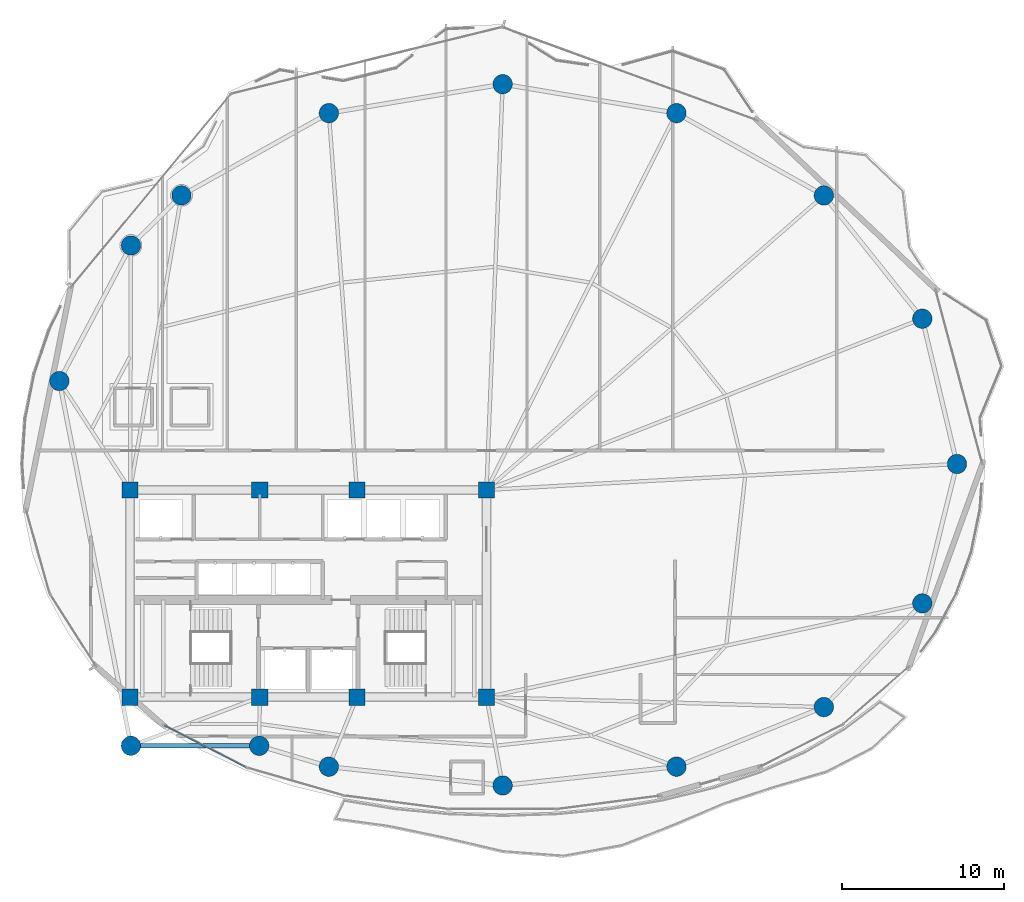
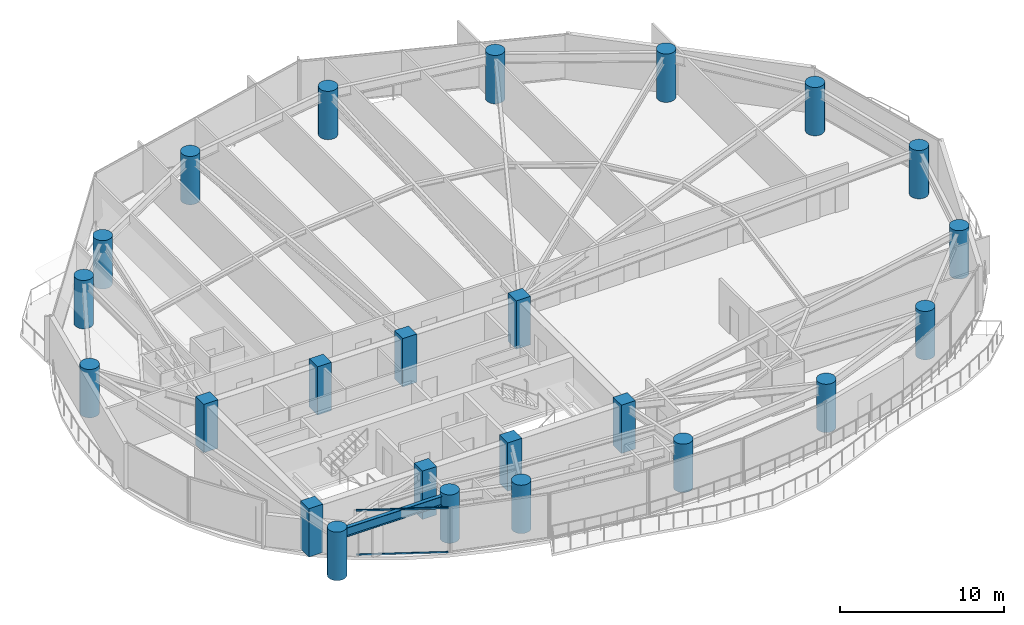
# One storey, part 1 of 28: 24 columns, 2 members, 1 beam, 1 element without a shape of its own.
"""IFC4 building model written with IfcOpenShell, lengths in metres."""

from ifc_helpers import new_model, si_unit, direction, frame, origin, origin_2d, place, context, subcontext, project, spatial, rectangle, hollow_rectangle, circle, i_section, extrude, material, layer, layer_set, material_profile, profile_set, type_object, element, aggregate, save


model = new_model("IFC4")

# Units and contexts
model_context = context("Model", 3, precision=1e-05, world=origin(), true_north=direction((0.0, 1.0)))
body_context = subcontext(model_context, "Body", "Model", "MODEL_VIEW")
ifc_project = project(units=[si_unit("LENGTHUNIT", "METRE"), si_unit("AREAUNIT", "SQUARE_METRE"), si_unit("VOLUMEUNIT", "CUBIC_METRE"), si_unit("PLANEANGLEUNIT", "RADIAN"), si_unit("MASSUNIT", "GRAM", prefix="KILO")], contexts=[model_context])

# Site, building, storey
site_placement = place(None, origin())
site = spatial("IfcSite", under=ifc_project, at=site_placement, CompositionType="ELEMENT")
building_placement = place(site_placement, origin())
building = spatial("IfcBuilding", under=site, at=building_placement, Name="Kazevale Care Tower and Concert Hall", CompositionType="ELEMENT")
storey_placement = place(building_placement, frame((0.0, 0.0, 109.800048828125)))
storey = spatial("IfcBuildingStorey", under=building, at=storey_placement, Name="L28", CompositionType="ELEMENT", Elevation=109.800048828125)

# Columns
ifc_material_1 = material(Name="Concrete C60", Category="concrete")
ifc_material_profile_1 = material_profile(ifc_material_1, rectangle(XDim=1.0, YDim=1.0, at=origin_2d()), Name="RC-SQ1000")
ifc_profile_set_1 = profile_set([ifc_material_profile_1], Name="Concrete C60")
column_type_1 = type_object("IfcColumnType", Name="Core Column SQ1000 C60", PredefinedType="COLUMN", material=ifc_profile_set_1)
for number, where, z_axis, x_axis, name in (
    (1, (22.0, 23.60009765625, 0.0), (0.0, 0.0, 1.0), (1.0, 0.0, 0.0), "col:L28:CC-01"),
    (2, (30.0, 23.60009765625, 0.0), (0.0, 0.0, 1.0), (1.0, 0.0, 0.0), "col:L28:CC-02"),
    (3, (36.0, 23.60009765625, 0.0), (0.0, 0.0, 1.0), (1.0, 0.0, 0.0), "col:L28:CC-03"),
    (4, (44.0, 23.60009765625, 0.0), (0.0, 0.0, 1.0), (1.0, 0.0, 0.0), "col:L28:CC-04"),
    (5, (44.0, 36.39990234375, 0.0), (0.0, 0.0, 1.0), (1.0, 0.0, 0.0), "col:L28:CC-05"),
    (6, (36.0, 36.39990234375, 0.0), (0.0, 0.0, 1.0), (1.0, 0.0, 0.0), "col:L28:CC-06"),
    (7, (30.0, 36.39990234375, 0.0), (0.0, 0.0, 1.0), (1.0, 0.0, 0.0), "col:L28:CC-07"),
    (8, (22.0, 36.39990234375, 0.0), (0.0, 0.0, 1.0), (1.0, 0.0, 0.0), "col:L28:CC-08"),
):
    element("IfcColumn", number, at=place(storey_placement, frame(where, z_axis=z_axis, x_axis=x_axis)), inside=storey, type_object=column_type_1, Name=name, PredefinedType="COLUMN", context=body_context, shape_type="SweptSolid", body=[
        extrude(rectangle(XDim=1.0, YDim=1.0, at=origin_2d()), origin(), (0.0, 0.0, 1.0), 3.599853515625),
    ])
ifc_material_profile_2 = material_profile(ifc_material_1, circle(Radius=0.60009765625, at=origin_2d()), Name="RC-CIR1200")
ifc_profile_set_2 = profile_set([ifc_material_profile_2], Name="Concrete C60")
column_type_2 = type_object("IfcColumnType", Name="Perimeter Column CIR1200 C60", PredefinedType="COLUMN", material=ifc_profile_set_2)
for number, where, z_axis, x_axis, name in (
    (9, (73.050048828125, 38.0, 0.0), (0.0, 0.0, 1.0), (1.0, 0.0, 0.0), "col:L28:PC-01"),
    (10, (70.909912109375, 46.969970703125, 0.0), (0.0, 0.0, 1.0), (1.0, 0.0, 0.0), "col:L28:PC-02"),
    (11, (64.830078125, 54.580078125, 0.0), (0.0, 0.0, 1.0), (1.0, 0.0, 0.0), "col:L28:PC-03"),
    (12, (55.72998046875, 59.659912109375, 0.0), (0.0, 0.0, 1.0), (1.0, 0.0, 0.0), "col:L28:PC-04"),
    (13, (45.0, 61.449951171875, 0.0), (0.0, 0.0, 1.0), (1.0, 0.0, 0.0), "col:L28:PC-05"),
    (14, (34.27001953125, 59.659912109375, 0.0), (0.0, 0.0, 1.0), (1.0, 0.0, 0.0), "col:L28:PC-06"),
    (15, (25.169921875, 54.580078125, 0.0), (0.0, 0.0, 1.0), (1.0, 0.0, 0.0), "col:L28:PC-07"),
    (16, (22.050048828125, 51.489990234375, 0.0), (0.0, 0.0, 1.0), (1.0, 0.0, 0.0), "col:L28:PC-08"),
    (17, (17.6298828125, 43.1201171875, 0.0), (0.0, 0.0, 1.0), (1.0, 0.0, 0.0), "col:L28:PC-09"),
    (18, (22.050048828125, 20.60009765625, 0.0), (0.0, 0.0, 1.0), (1.0, 0.0, 0.0), "col:L28:PC-10"),
    (19, (29.969970703125, 20.60009765625, 0.0), (0.0, 0.0, 1.0), (1.0, 0.0, 0.0), "col:L28:PC-11"),
    (20, (34.27001953125, 19.31005859375, 0.0), (0.0, 0.0, 1.0), (1.0, 0.0, 0.0), "col:L28:PC-12"),
    (21, (45.0, 18.14990234375, 0.0), (0.0, 0.0, 1.0), (1.0, 0.0, 0.0), "col:L28:PC-13"),
    (22, (55.72998046875, 19.31005859375, 0.0), (0.0, 0.0, 1.0), (1.0, 0.0, 0.0), "col:L28:PC-14"),
    (23, (64.830078125, 22.989990234375, 0.0), (0.0, 0.0, 1.0), (1.0, 0.0, 0.0), "col:L28:PC-15"),
    (24, (70.909912109375, 29.389892578125, 0.0), (0.0, 0.0, 1.0), (1.0, 0.0, 0.0), "col:L28:PC-16"),
):
    element("IfcColumn", number, at=place(storey_placement, frame(where, z_axis=z_axis, x_axis=x_axis)), inside=storey, type_object=column_type_2, Name=name, PredefinedType="COLUMN", context=body_context, shape_type="SweptSolid", body=[
        extrude(circle(Radius=0.60009765625, at=origin_2d()), origin(), (0.0, 0.0, 1.0), 3.599853515625),
    ])

# Curtain wall, members
ifc_material_2 = material(Name="Aluminium 6063-T6 and Low-E Glass", Category="aluminium")
ifc_layer = layer(ifc_material_2, 0.179931640625)
ifc_layer_set = layer_set([ifc_layer], Name="Aluminium 6063-T6 and Low-E Glass")
curtain_wall_type = type_object("IfcCurtainWallType", Name="Sheltered Concave Balcony Curtain Wall CW-5", PredefinedType="NOTDEFINED", material=ifc_layer_set)
curtain_wall_placement = place(storey_placement, origin())
curtain_wall = element("IfcCurtainWall", 25, at=curtain_wall_placement, inside=storey, type_object=curtain_wall_type, Name="cw:L28:f09", PredefinedType="NOTDEFINED")
ifc_material_3 = material(Name="Aluminium 6063-T6", Category="aluminium")
ifc_material_profile_3 = material_profile(ifc_material_3, hollow_rectangle(XDim=0.074951171875, YDim=0.1201171875, WallThickness=0.00390625, at=origin_2d()), Name="ALU75x120x4")
ifc_profile_set_3 = profile_set([ifc_material_profile_3], Name="Aluminium 6063-T6")
member_type = type_object("IfcMemberType", Name="CW-5 Transom ALU75x120x4", PredefinedType="USERDEFINED", material=ifc_profile_set_3)
member_1_placement = place(storey_placement, frame((29.144287109375, 19.279296875, 0.037353515625), z_axis=(-0.890142600475, 0.455682072084, 0.0), x_axis=(-0.455682072084, -0.890142600475, 0.0)))
member_1 = element("IfcMember", 26, at=member_1_placement, type_object=member_type, Name="CW-5 transom 1.1", ObjectType="TRANSOM", PredefinedType="USERDEFINED", context=body_context, shape_type="SweptSolid", body=[
    extrude(hollow_rectangle(XDim=0.074951171875, YDim=0.1201171875, WallThickness=0.00390625, at=origin_2d()), origin(), (0.0, 0.0, 1.0), 5.671630859375),
])
member_2_placement = place(storey_placement, frame((29.144287109375, 19.279296875, 3.322509765625), z_axis=(-0.890142600475, 0.455682072084, 0.0), x_axis=(-0.455682072084, -0.890142600475, 0.0)))
member_2 = element("IfcMember", 27, at=member_2_placement, type_object=member_type, Name="CW-5 transom 1.2", ObjectType="TRANSOM", PredefinedType="USERDEFINED", context=body_context, shape_type="SweptSolid", body=[
    extrude(hollow_rectangle(XDim=0.074951171875, YDim=0.1201171875, WallThickness=0.00390625, at=origin_2d()), origin(), (0.0, 0.0, 1.0), 5.671630859375),
])
aggregate(curtain_wall, [member_1, member_2])

# Beam
ifc_material_4 = material(Name="Steel ASTM A572 Gr 50", Category="steel")
ifc_material_profile_4 = material_profile(ifc_material_4, i_section(OverallWidth=0.256103515625, OverallDepth=0.693115234375, WebThickness=0.014404296875, FlangeThickness=0.023681640625, at=origin_2d()), Name="W690x170")
ifc_profile_set_4 = profile_set([ifc_material_profile_4], Name="Steel ASTM A572 Gr 50")
beam_type = type_object("IfcBeamType", Name="Waist Ring Beam W690x170", PredefinedType="BEAM", material=ifc_profile_set_4)
beam_placement = place(storey_placement, frame((22.050048828125, 20.60009765625, 3.013427734375), z_axis=(1.0, 0.0, 0.0), x_axis=(0.0, 1.0, 0.0)))
element("IfcBeam", 28, at=beam_placement, inside=storey, type_object=beam_type, Name="beam:L28:ring:10", PredefinedType="BEAM", context=body_context, shape_type="SweptSolid", body=[
    extrude(i_section(OverallWidth=0.256103515625, OverallDepth=0.693115234375, WebThickness=0.014404296875, FlangeThickness=0.023681640625, at=origin_2d()), origin(), (0.0, 0.0, 1.0), 7.919921875),
])

save(model, "model.ifc")
